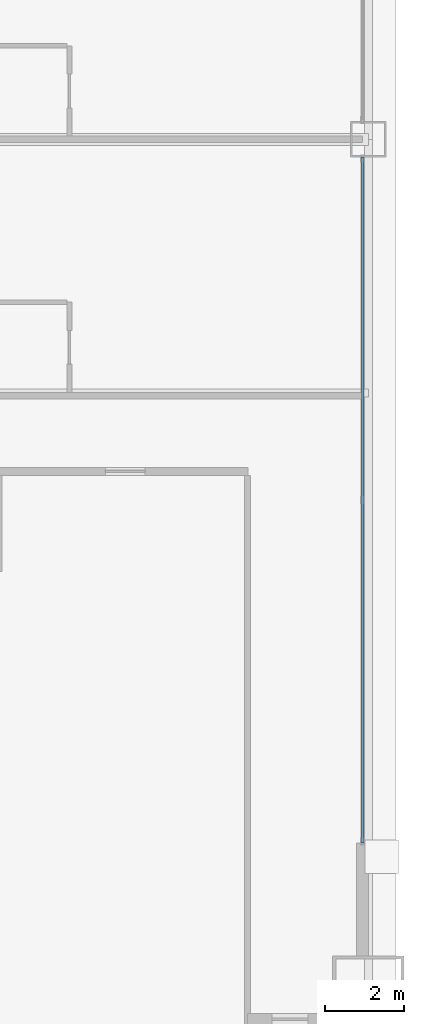
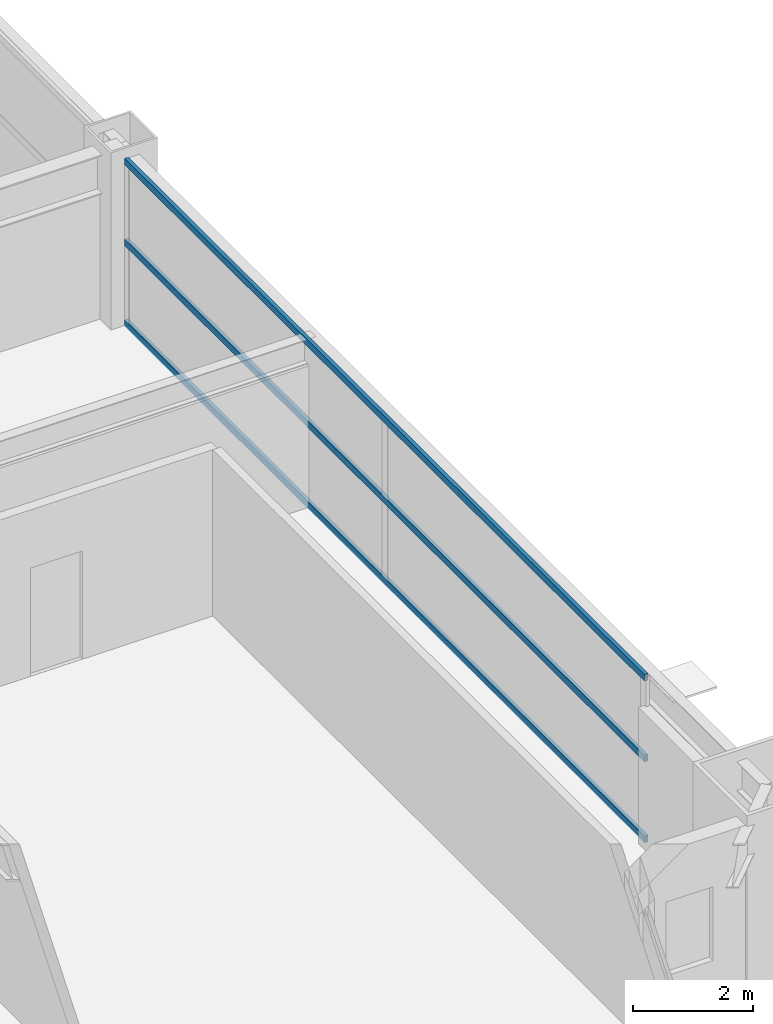
# One storey, part 22 of 46: 3 members, 1 element without a shape of its own.
"""IFC4 building model written with IfcOpenShell, lengths in metres."""

from ifc_helpers import new_model, si_unit, direction, frame, origin, origin_2d, place, context, subcontext, project, spatial, hollow_rectangle, extrude, source, transform, mapped, material, layer, layer_set, material_profile, profile_set, type_object, element, aggregate, save


model = new_model("IFC4")

# Units and contexts
model_context = context("Model", 3, precision=1e-05, world=origin(), true_north=direction((0.0, 1.0)))
body_context = subcontext(model_context, "Body", "Model", "MODEL_VIEW")
ifc_project = project(units=[si_unit("LENGTHUNIT", "METRE"), si_unit("AREAUNIT", "SQUARE_METRE"), si_unit("VOLUMEUNIT", "CUBIC_METRE"), si_unit("PLANEANGLEUNIT", "RADIAN"), si_unit("MASSUNIT", "GRAM", prefix="KILO"), si_unit("THERMODYNAMICTEMPERATUREUNIT", "KELVIN"), si_unit("POWERUNIT", "WATT")], contexts=[model_context])

# Site, building, storey
site_placement = place(None, origin())
site = spatial("IfcSite", under=ifc_project, at=site_placement, CompositionType="ELEMENT")
building_placement = place(site_placement, origin())
building = spatial("IfcBuilding", under=site, at=building_placement, Name="Yuzanri Waterfront Tower", CompositionType="ELEMENT")
storey_placement = place(building_placement, frame((0.0, 0.0, 56.800048828125)))
storey = spatial("IfcBuildingStorey", under=building, at=storey_placement, Name="L14", CompositionType="ELEMENT", Elevation=56.800048828125)

# Curtain wall, members
ifc_material_1 = material(Name="Anodized Architectural Bronze", Category="metal")
ifc_layer = layer(ifc_material_1, 0.159912109375)
ifc_layer_set = layer_set([ifc_layer], Name="Anodized Architectural Bronze")
curtain_wall_type = type_object("IfcCurtainWallType", Name="Anodized Bronze Hotel Lower-Tier Recessed Unitized Curtain Wall 8100", PredefinedType="NOTDEFINED", material=ifc_layer_set)
curtain_wall_placement = place(storey_placement, origin())
curtain_wall = element("IfcCurtainWall", 1, at=curtain_wall_placement, inside=storey, type_object=curtain_wall_type, Name="L14 Curtain Wall CW-L14-EL", PredefinedType="NOTDEFINED")
ifc_material_2 = material(Name="Anodized Architectural Bronze", Category="metal")
ifc_material_profile = material_profile(ifc_material_2, hollow_rectangle(XDim=0.070068359375, YDim=0.135009765625, WallThickness=0.00341796875, at=origin_2d()), Name="CWT 70x135")
ifc_profile_set = profile_set([ifc_material_profile], Name="Anodized Architectural Bronze")
member_type = type_object("IfcMemberType", Name="Anodized Bronze Standard Curtain-Wall Transom 70x135", PredefinedType="USERDEFINED", material=ifc_profile_set)
shared_shape = source(origin(), body_context, "Body", "SweptSolid", [
    extrude(hollow_rectangle(XDim=0.070068359375, YDim=0.135009765625, WallThickness=0.00341796875, at=origin_2d()), origin(), (0.0, 0.0, 1.0), 17.300048828125),
])
member_1_placement = place(storey_placement, frame((61.949951171875, 8.050048828125, 0.050048828125), z_axis=(0.0, 1.0, 0.0), x_axis=(-1.0, 0.0, 0.0)))
member_1 = element("IfcMember", 2, at=member_1_placement, type_object=member_type, Name="CW-L14-EL Transom 1", ObjectType="TRANSOM", PredefinedType="USERDEFINED", context=body_context, shape_type="MappedRepresentation", body=[
    mapped(shared_shape, transform((0.0, 0.0, 0.0), scale=1.0)),
])
member_2_placement = place(storey_placement, frame((61.949951171875, 8.050048828125, 1.68994140625), z_axis=(0.0, 1.0, 0.0), x_axis=(-1.0, 0.0, 0.0)))
member_2 = element("IfcMember", 3, at=member_2_placement, type_object=member_type, Name="CW-L14-EL Transom 2", ObjectType="TRANSOM", PredefinedType="USERDEFINED", context=body_context, shape_type="MappedRepresentation", body=[
    mapped(shared_shape, transform((0.0, 0.0, 0.0), scale=1.0)),
])
member_3_placement = place(storey_placement, frame((61.949951171875, 8.050048828125, 3.329833984375), z_axis=(0.0, 1.0, 0.0), x_axis=(-1.0, 0.0, 0.0)))
member_3 = element("IfcMember", 4, at=member_3_placement, type_object=member_type, Name="CW-L14-EL Transom 3", ObjectType="TRANSOM", PredefinedType="USERDEFINED", context=body_context, shape_type="MappedRepresentation", body=[
    mapped(shared_shape, transform((0.0, 0.0, 0.0), scale=1.0)),
])
aggregate(curtain_wall, [member_1, member_2, member_3])

save(model, "model.ifc")
